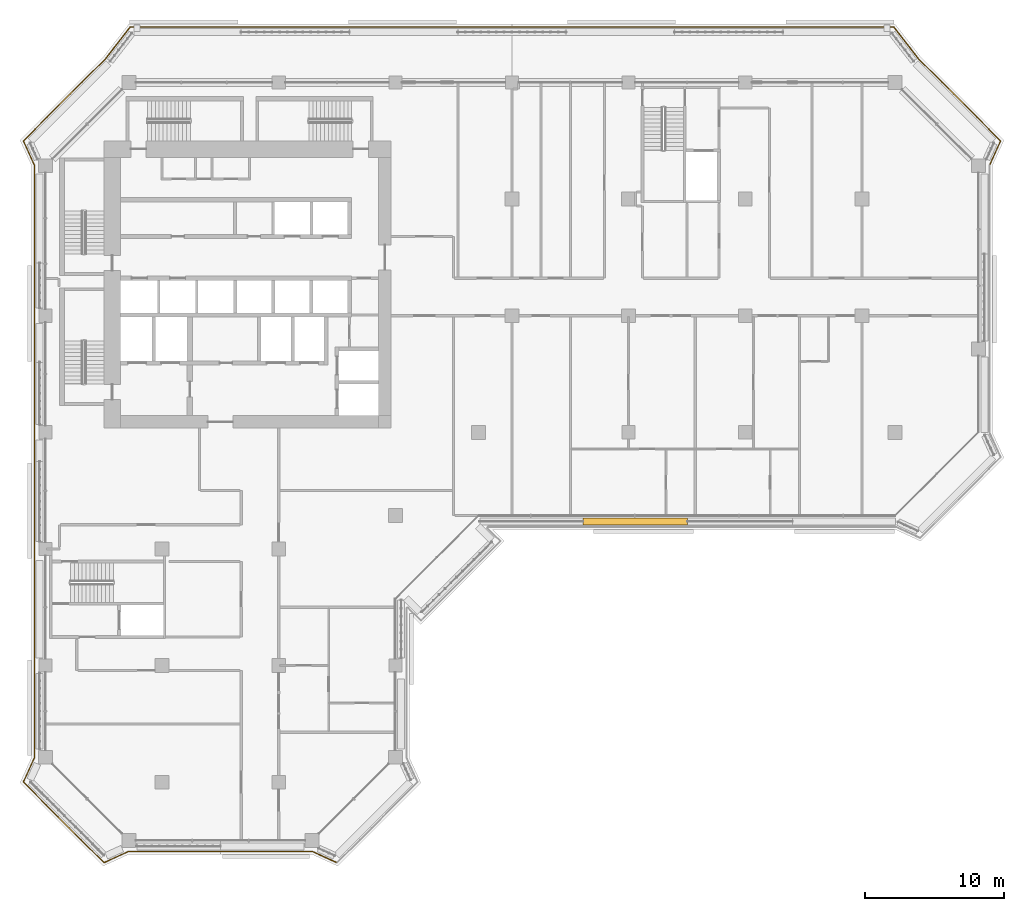
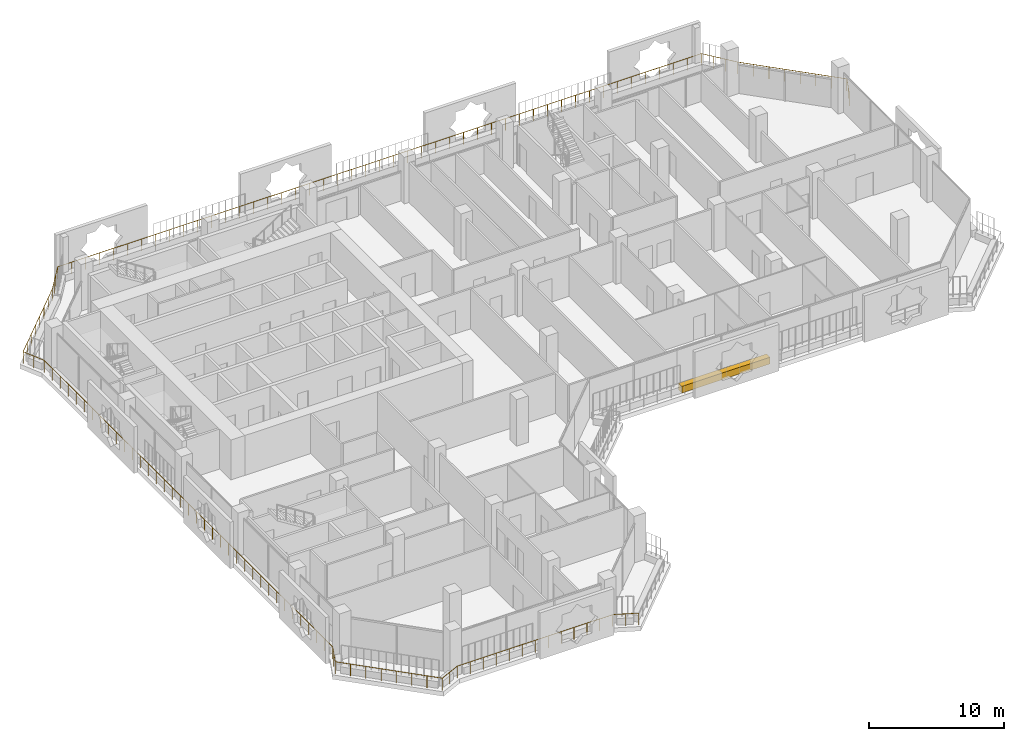
# One storey, part 18 of 22: 1 covering, 1 railing.
"""IFC4 building model written with IfcOpenShell, lengths in metres."""

from ifc_helpers import new_model, si_unit, direction, frame, origin, origin_2d, place, context, subcontext, project, spatial, rectangle, circle, extrude, material, material_profile, profile_set, type_object, element, save


model = new_model("IFC4")

# Units and contexts
model_context = context("Model", 3, precision=1e-05, world=origin(), true_north=direction((0.0, 1.0)))
body_context = subcontext(model_context, "Body", "Model", "MODEL_VIEW")
ifc_project = project(units=[si_unit("LENGTHUNIT", "METRE"), si_unit("AREAUNIT", "SQUARE_METRE"), si_unit("VOLUMEUNIT", "CUBIC_METRE"), si_unit("PLANEANGLEUNIT", "RADIAN"), si_unit("MASSUNIT", "GRAM", prefix="KILO")], contexts=[model_context])

# Site, building, storey
site_placement = place(None, origin())
site = spatial("IfcSite", under=ifc_project, at=site_placement, CompositionType="ELEMENT")
building_placement = place(site_placement, origin())
building = spatial("IfcBuilding", under=site, at=building_placement, Name="Kawkab Arch Medical Tower", CompositionType="ELEMENT")
storey_placement = place(building_placement, frame((0.0, 0.0, 204.60009765625)))
storey = spatial("IfcBuildingStorey", under=building, at=storey_placement, Name="L47", CompositionType="ELEMENT", Elevation=204.60009765625)

# Railing
ifc_material_1 = material(Name="Bronze anodised aluminium guard", Category="aluminium")
railing_type = type_object("IfcRailingType", Name="Loggia and terrace guard 1100", PredefinedType="GUARDRAIL", material=ifc_material_1)
railing_placement = place(storey_placement, frame((20.9951171875, -56.197998046875, 0.0)))
element("IfcRailing", 1, at=railing_placement, inside=storey, type_object=railing_type, Name="Guard L47.LOG-01.1.1", PredefinedType="GUARDRAIL", context=body_context, shape_type="SweptSolid", body=[
    extrude(circle(Radius=0.02392578125, at=origin_2d()), frame((0.0, 0.0, 1.076171875), z_axis=(-0.910044860056, 0.414509773934, 0.0), x_axis=(-0.414509773934, -0.910044860056, 0.0)), (0.0, 0.0, 1.0), 1.92529296875),
    extrude(circle(Radius=0.02392578125, at=origin_2d()), frame((-1.752197265625, 0.798095703125, 1.076171875), z_axis=(-1.0, 0.0, 0.0), x_axis=(0.0, -1.0, 0.0)), (0.0, 0.0, 1.0), 13.285888671875),
    extrude(circle(Radius=0.02392578125, at=origin_2d()), frame((-15.0380859375, 0.798095703125, 1.076171875), z_axis=(-0.910023069687, -0.414557610759, 0.0), x_axis=(0.414557610759, -0.910023069687, 0.0)), (0.0, 0.0, 1.0), 1.92529296875),
    extrude(circle(Radius=0.02392578125, at=origin_2d()), frame((-16.7900390625, 0.0, 1.076171875), z_axis=(-0.707106781187, 0.707106781187, 0.0), x_axis=(-0.707106781187, -0.707106781187, 0.0)), (0.0, 0.0, 1.0), 8.20654296875),
    extrude(circle(Radius=0.02392578125, at=origin_2d()), frame((-22.593017578125, 5.802978515625, 1.076171875), z_axis=(0.414452581809, 0.910070907914, 0.0), x_axis=(-0.910070907914, 0.414452581809, 0.0)), (0.0, 0.0, 1.0), 1.925048828125),
    extrude(circle(Radius=0.02392578125, at=origin_2d()), frame((-21.795166015625, 7.554931640625, 1.076171875), z_axis=(0.0, 1.0, 0.0), x_axis=(-1.0, 0.0, 0.0)), (0.0, 0.0, 1.0), 42.68603515625),
    extrude(circle(Radius=0.02392578125, at=origin_2d()), frame((-21.795166015625, 50.240966796875, 1.076171875), z_axis=(-0.414452581809, 0.910070907914, 0.0), x_axis=(-0.910070907914, -0.414452581809, 0.0)), (0.0, 0.0, 1.0), 1.925048828125),
    extrude(circle(Radius=0.02392578125, at=origin_2d()), frame((-22.593017578125, 51.992919921875, 1.076171875), z_axis=(0.707092175918, 0.707121386154, 0.0), x_axis=(-0.707121386154, 0.707092175918, 0.0)), (0.0, 0.0, 1.0), 8.358154296875),
    extrude(circle(Radius=0.02392578125, at=origin_2d()), frame((-16.68310546875, 57.903076171875, 1.076171875), z_axis=(0.614144026922, 0.789193964876, 0.0), x_axis=(-0.789193964876, 0.614144026922, 0.0)), (0.0, 0.0, 1.0), 2.907958984375),
    extrude(circle(Radius=0.02392578125, at=origin_2d()), frame((-14.897216796875, 60.197998046875, 1.076171875), z_axis=(1.0, 0.0, 0.0), x_axis=(0.0, 1.0, 0.0)), (0.0, 0.0, 1.0), 55.004150390625),
    extrude(circle(Radius=0.02392578125, at=origin_2d()), frame((40.10693359375, 60.197998046875, 1.076171875), z_axis=(0.614144026922, -0.789193964876, 0.0), x_axis=(0.789193964876, 0.614144026922, 0.0)), (0.0, 0.0, 1.0), 2.907958984375),
    extrude(circle(Radius=0.02392578125, at=origin_2d()), frame((41.892822265625, 57.903076171875, 1.076171875), z_axis=(0.707106781187, -0.707106781187, 0.0), x_axis=(0.707106781187, 0.707106781187, 0.0)), (0.0, 0.0, 1.0), 8.358154296875),
    extrude(circle(Radius=0.02392578125, at=origin_2d()), frame((47.802978515625, 51.992919921875, 1.076171875), z_axis=(-0.414557610759, -0.910023069687, 0.0), x_axis=(0.910023069687, -0.414557610759, 0.0)), (0.0, 0.0, 1.0), 1.92529296875),
    extrude(circle(Radius=0.02099609375, at=origin_2d()), origin(), (0.0, 0.0, 1.0), 1.052001953125),
    extrude(circle(Radius=0.02099609375, at=origin_2d()), frame((-0.8759765625, 0.39892578125, 0.0)), (0.0, 0.0, 1.0), 1.052001953125),
    extrude(circle(Radius=0.02099609375, at=origin_2d()), frame((-1.752197265625, 0.798095703125, 0.0)), (0.0, 0.0, 1.0), 1.052001953125),
    extrude(circle(Radius=0.02099609375, at=origin_2d()), frame((-2.859375, 0.798095703125, 0.0)), (0.0, 0.0, 1.0), 1.052001953125),
    extrude(circle(Radius=0.02099609375, at=origin_2d()), frame((-3.966552734375, 0.798095703125, 0.0)), (0.0, 0.0, 1.0), 1.052001953125),
    extrude(circle(Radius=0.02099609375, at=origin_2d()), frame((-5.07373046875, 0.798095703125, 0.0)), (0.0, 0.0, 1.0), 1.052001953125),
    extrude(circle(Radius=0.02099609375, at=origin_2d()), frame((-6.180908203125, 0.798095703125, 0.0)), (0.0, 0.0, 1.0), 1.052001953125),
    extrude(circle(Radius=0.02099609375, at=origin_2d()), frame((-7.2880859375, 0.798095703125, 0.0)), (0.0, 0.0, 1.0), 1.052001953125),
    extrude(circle(Radius=0.02099609375, at=origin_2d()), frame((-8.39501953125, 0.798095703125, 0.0)), (0.0, 0.0, 1.0), 1.052001953125),
    extrude(circle(Radius=0.02099609375, at=origin_2d()), frame((-9.502197265625, 0.798095703125, 0.0)), (0.0, 0.0, 1.0), 1.052001953125),
    extrude(circle(Radius=0.02099609375, at=origin_2d()), frame((-10.609375, 0.798095703125, 0.0)), (0.0, 0.0, 1.0), 1.052001953125),
    extrude(circle(Radius=0.02099609375, at=origin_2d()), frame((-11.716552734375, 0.798095703125, 0.0)), (0.0, 0.0, 1.0), 1.052001953125),
    extrude(circle(Radius=0.02099609375, at=origin_2d()), frame((-12.82373046875, 0.798095703125, 0.0)), (0.0, 0.0, 1.0), 1.052001953125),
    extrude(circle(Radius=0.02099609375, at=origin_2d()), frame((-13.930908203125, 0.798095703125, 0.0)), (0.0, 0.0, 1.0), 1.052001953125),
    extrude(circle(Radius=0.02099609375, at=origin_2d()), frame((-15.0380859375, 0.798095703125, 0.0)), (0.0, 0.0, 1.0), 1.052001953125),
    extrude(circle(Radius=0.02099609375, at=origin_2d()), frame((-15.9140625, 0.39892578125, 0.0)), (0.0, 0.0, 1.0), 1.052001953125),
    extrude(circle(Radius=0.02099609375, at=origin_2d()), frame((-16.7900390625, 0.0, 0.0)), (0.0, 0.0, 1.0), 1.052001953125),
    extrude(circle(Radius=0.02099609375, at=origin_2d()), frame((-17.619140625, 0.8291015625, 0.0)), (0.0, 0.0, 1.0), 1.052001953125),
    extrude(circle(Radius=0.02099609375, at=origin_2d()), frame((-18.447998046875, 1.657958984375, 0.0)), (0.0, 0.0, 1.0), 1.052001953125),
    extrude(circle(Radius=0.02099609375, at=origin_2d()), frame((-19.277099609375, 2.487060546875, 0.0)), (0.0, 0.0, 1.0), 1.052001953125),
    extrude(circle(Radius=0.02099609375, at=origin_2d()), frame((-20.10595703125, 3.31591796875, 0.0)), (0.0, 0.0, 1.0), 1.052001953125),
    extrude(circle(Radius=0.02099609375, at=origin_2d()), frame((-20.93505859375, 4.14501953125, 0.0)), (0.0, 0.0, 1.0), 1.052001953125),
    extrude(circle(Radius=0.02099609375, at=origin_2d()), frame((-21.763916015625, 4.973876953125, 0.0)), (0.0, 0.0, 1.0), 1.052001953125),
    extrude(circle(Radius=0.02099609375, at=origin_2d()), frame((-22.593017578125, 5.802978515625, 0.0)), (0.0, 0.0, 1.0), 1.052001953125),
    extrude(circle(Radius=0.02099609375, at=origin_2d()), frame((-22.194091796875, 6.678955078125, 0.0)), (0.0, 0.0, 1.0), 1.052001953125),
    extrude(circle(Radius=0.02099609375, at=origin_2d()), frame((-21.795166015625, 7.554931640625, 0.0)), (0.0, 0.0, 1.0), 1.052001953125),
    extrude(circle(Radius=0.02099609375, at=origin_2d()), frame((-21.795166015625, 8.74072265625, 0.0)), (0.0, 0.0, 1.0), 1.052001953125),
    extrude(circle(Radius=0.02099609375, at=origin_2d()), frame((-21.795166015625, 9.92626953125, 0.0)), (0.0, 0.0, 1.0), 1.052001953125),
    extrude(circle(Radius=0.02099609375, at=origin_2d()), frame((-21.795166015625, 11.112060546875, 0.0)), (0.0, 0.0, 1.0), 1.052001953125),
    extrude(circle(Radius=0.02099609375, at=origin_2d()), frame((-21.795166015625, 12.2978515625, 0.0)), (0.0, 0.0, 1.0), 1.052001953125),
    extrude(circle(Radius=0.02099609375, at=origin_2d()), frame((-21.795166015625, 13.483642578125, 0.0)), (0.0, 0.0, 1.0), 1.052001953125),
    extrude(circle(Radius=0.02099609375, at=origin_2d()), frame((-21.795166015625, 14.669189453125, 0.0)), (0.0, 0.0, 1.0), 1.052001953125),
    extrude(circle(Radius=0.02099609375, at=origin_2d()), frame((-21.795166015625, 15.85498046875, 0.0)), (0.0, 0.0, 1.0), 1.052001953125),
    extrude(circle(Radius=0.02099609375, at=origin_2d()), frame((-21.795166015625, 17.040771484375, 0.0)), (0.0, 0.0, 1.0), 1.052001953125),
    extrude(circle(Radius=0.02099609375, at=origin_2d()), frame((-21.795166015625, 18.2265625, 0.0)), (0.0, 0.0, 1.0), 1.052001953125),
    extrude(circle(Radius=0.02099609375, at=origin_2d()), frame((-21.795166015625, 19.412109375, 0.0)), (0.0, 0.0, 1.0), 1.052001953125),
    extrude(circle(Radius=0.02099609375, at=origin_2d()), frame((-21.795166015625, 20.597900390625, 0.0)), (0.0, 0.0, 1.0), 1.052001953125),
    extrude(circle(Radius=0.02099609375, at=origin_2d()), frame((-21.795166015625, 21.78369140625, 0.0)), (0.0, 0.0, 1.0), 1.052001953125),
    extrude(circle(Radius=0.02099609375, at=origin_2d()), frame((-21.795166015625, 22.96923828125, 0.0)), (0.0, 0.0, 1.0), 1.052001953125),
    extrude(circle(Radius=0.02099609375, at=origin_2d()), frame((-21.795166015625, 24.155029296875, 0.0)), (0.0, 0.0, 1.0), 1.052001953125),
    extrude(circle(Radius=0.02099609375, at=origin_2d()), frame((-21.795166015625, 25.3408203125, 0.0)), (0.0, 0.0, 1.0), 1.052001953125),
    extrude(circle(Radius=0.02099609375, at=origin_2d()), frame((-21.795166015625, 26.526611328125, 0.0)), (0.0, 0.0, 1.0), 1.052001953125),
    extrude(circle(Radius=0.02099609375, at=origin_2d()), frame((-21.795166015625, 27.712158203125, 0.0)), (0.0, 0.0, 1.0), 1.052001953125),
    extrude(circle(Radius=0.02099609375, at=origin_2d()), frame((-21.795166015625, 28.89794921875, 0.0)), (0.0, 0.0, 1.0), 1.052001953125),
    extrude(circle(Radius=0.02099609375, at=origin_2d()), frame((-21.795166015625, 30.083740234375, 0.0)), (0.0, 0.0, 1.0), 1.052001953125),
    extrude(circle(Radius=0.02099609375, at=origin_2d()), frame((-21.795166015625, 31.269287109375, 0.0)), (0.0, 0.0, 1.0), 1.052001953125),
    extrude(circle(Radius=0.02099609375, at=origin_2d()), frame((-21.795166015625, 32.455078125, 0.0)), (0.0, 0.0, 1.0), 1.052001953125),
    extrude(circle(Radius=0.02099609375, at=origin_2d()), frame((-21.795166015625, 33.640869140625, 0.0)), (0.0, 0.0, 1.0), 1.052001953125),
    extrude(circle(Radius=0.02099609375, at=origin_2d()), frame((-21.795166015625, 34.82666015625, 0.0)), (0.0, 0.0, 1.0), 1.052001953125),
    extrude(circle(Radius=0.02099609375, at=origin_2d()), frame((-21.795166015625, 36.01220703125, 0.0)), (0.0, 0.0, 1.0), 1.052001953125),
    extrude(circle(Radius=0.02099609375, at=origin_2d()), frame((-21.795166015625, 37.197998046875, 0.0)), (0.0, 0.0, 1.0), 1.052001953125),
    extrude(circle(Radius=0.02099609375, at=origin_2d()), frame((-21.795166015625, 38.3837890625, 0.0)), (0.0, 0.0, 1.0), 1.052001953125),
    extrude(circle(Radius=0.02099609375, at=origin_2d()), frame((-21.795166015625, 39.5693359375, 0.0)), (0.0, 0.0, 1.0), 1.052001953125),
    extrude(circle(Radius=0.02099609375, at=origin_2d()), frame((-21.795166015625, 40.755126953125, 0.0)), (0.0, 0.0, 1.0), 1.052001953125),
    extrude(circle(Radius=0.02099609375, at=origin_2d()), frame((-21.795166015625, 41.94091796875, 0.0)), (0.0, 0.0, 1.0), 1.052001953125),
    extrude(circle(Radius=0.02099609375, at=origin_2d()), frame((-21.795166015625, 43.126708984375, 0.0)), (0.0, 0.0, 1.0), 1.052001953125),
    extrude(circle(Radius=0.02099609375, at=origin_2d()), frame((-21.795166015625, 44.312255859375, 0.0)), (0.0, 0.0, 1.0), 1.052001953125),
    extrude(circle(Radius=0.02099609375, at=origin_2d()), frame((-21.795166015625, 45.498046875, 0.0)), (0.0, 0.0, 1.0), 1.052001953125),
    extrude(circle(Radius=0.02099609375, at=origin_2d()), frame((-21.795166015625, 46.683837890625, 0.0)), (0.0, 0.0, 1.0), 1.052001953125),
    extrude(circle(Radius=0.02099609375, at=origin_2d()), frame((-21.795166015625, 47.86962890625, 0.0)), (0.0, 0.0, 1.0), 1.052001953125),
    extrude(circle(Radius=0.02099609375, at=origin_2d()), frame((-21.795166015625, 49.05517578125, 0.0)), (0.0, 0.0, 1.0), 1.052001953125),
    extrude(circle(Radius=0.02099609375, at=origin_2d()), frame((-21.795166015625, 50.240966796875, 0.0)), (0.0, 0.0, 1.0), 1.052001953125),
    extrude(circle(Radius=0.02099609375, at=origin_2d()), frame((-22.194091796875, 51.116943359375, 0.0)), (0.0, 0.0, 1.0), 1.052001953125),
    extrude(circle(Radius=0.02099609375, at=origin_2d()), frame((-22.593017578125, 51.992919921875, 0.0)), (0.0, 0.0, 1.0), 1.052001953125),
    extrude(circle(Radius=0.02099609375, at=origin_2d()), frame((-21.748779296875, 52.837158203125, 0.0)), (0.0, 0.0, 1.0), 1.052001953125),
    extrude(circle(Radius=0.02099609375, at=origin_2d()), frame((-20.904541015625, 53.681640625, 0.0)), (0.0, 0.0, 1.0), 1.052001953125),
    extrude(circle(Radius=0.02099609375, at=origin_2d()), frame((-20.060302734375, 54.52587890625, 0.0)), (0.0, 0.0, 1.0), 1.052001953125),
    extrude(circle(Radius=0.02099609375, at=origin_2d()), frame((-19.2158203125, 55.3701171875, 0.0)), (0.0, 0.0, 1.0), 1.052001953125),
    extrude(circle(Radius=0.02099609375, at=origin_2d()), frame((-18.37158203125, 56.21435546875, 0.0)), (0.0, 0.0, 1.0), 1.052001953125),
    extrude(circle(Radius=0.02099609375, at=origin_2d()), frame((-17.52734375, 57.058837890625, 0.0)), (0.0, 0.0, 1.0), 1.052001953125),
    extrude(circle(Radius=0.02099609375, at=origin_2d()), frame((-16.68310546875, 57.903076171875, 0.0)), (0.0, 0.0, 1.0), 1.052001953125),
    extrude(circle(Radius=0.02099609375, at=origin_2d()), frame((-16.087890625, 58.66796875, 0.0)), (0.0, 0.0, 1.0), 1.052001953125),
    extrude(circle(Radius=0.02099609375, at=origin_2d()), frame((-15.492431640625, 59.43310546875, 0.0)), (0.0, 0.0, 1.0), 1.052001953125),
    extrude(circle(Radius=0.02099609375, at=origin_2d()), frame((-14.897216796875, 60.197998046875, 0.0)), (0.0, 0.0, 1.0), 1.052001953125),
    extrude(circle(Radius=0.02099609375, at=origin_2d()), frame((-13.701416015625, 60.197998046875, 0.0)), (0.0, 0.0, 1.0), 1.052001953125),
    extrude(circle(Radius=0.02099609375, at=origin_2d()), frame((-12.505615234375, 60.197998046875, 0.0)), (0.0, 0.0, 1.0), 1.052001953125),
    extrude(circle(Radius=0.02099609375, at=origin_2d()), frame((-11.31005859375, 60.197998046875, 0.0)), (0.0, 0.0, 1.0), 1.052001953125),
    extrude(circle(Radius=0.02099609375, at=origin_2d()), frame((-10.1142578125, 60.197998046875, 0.0)), (0.0, 0.0, 1.0), 1.052001953125),
    extrude(circle(Radius=0.02099609375, at=origin_2d()), frame((-8.91845703125, 60.197998046875, 0.0)), (0.0, 0.0, 1.0), 1.052001953125),
    extrude(circle(Radius=0.02099609375, at=origin_2d()), frame((-7.72265625, 60.197998046875, 0.0)), (0.0, 0.0, 1.0), 1.052001953125),
    extrude(circle(Radius=0.02099609375, at=origin_2d()), frame((-6.527099609375, 60.197998046875, 0.0)), (0.0, 0.0, 1.0), 1.052001953125),
    extrude(circle(Radius=0.02099609375, at=origin_2d()), frame((-5.331298828125, 60.197998046875, 0.0)), (0.0, 0.0, 1.0), 1.052001953125),
    extrude(circle(Radius=0.02099609375, at=origin_2d()), frame((-4.135498046875, 60.197998046875, 0.0)), (0.0, 0.0, 1.0), 1.052001953125),
    extrude(circle(Radius=0.02099609375, at=origin_2d()), frame((-2.939697265625, 60.197998046875, 0.0)), (0.0, 0.0, 1.0), 1.052001953125),
    extrude(circle(Radius=0.02099609375, at=origin_2d()), frame((-1.744140625, 60.197998046875, 0.0)), (0.0, 0.0, 1.0), 1.052001953125),
    extrude(circle(Radius=0.02099609375, at=origin_2d()), frame((-0.54833984375, 60.197998046875, 0.0)), (0.0, 0.0, 1.0), 1.052001953125),
    extrude(circle(Radius=0.02099609375, at=origin_2d()), frame((0.6474609375, 60.197998046875, 0.0)), (0.0, 0.0, 1.0), 1.052001953125),
    extrude(circle(Radius=0.02099609375, at=origin_2d()), frame((1.84326171875, 60.197998046875, 0.0)), (0.0, 0.0, 1.0), 1.052001953125),
    extrude(circle(Radius=0.02099609375, at=origin_2d()), frame((3.038818359375, 60.197998046875, 0.0)), (0.0, 0.0, 1.0), 1.052001953125),
    extrude(circle(Radius=0.02099609375, at=origin_2d()), frame((4.234619140625, 60.197998046875, 0.0)), (0.0, 0.0, 1.0), 1.052001953125),
    extrude(circle(Radius=0.02099609375, at=origin_2d()), frame((5.430419921875, 60.197998046875, 0.0)), (0.0, 0.0, 1.0), 1.052001953125),
    extrude(circle(Radius=0.02099609375, at=origin_2d()), frame((6.626220703125, 60.197998046875, 0.0)), (0.0, 0.0, 1.0), 1.052001953125),
    extrude(circle(Radius=0.02099609375, at=origin_2d()), frame((7.82177734375, 60.197998046875, 0.0)), (0.0, 0.0, 1.0), 1.052001953125),
    extrude(circle(Radius=0.02099609375, at=origin_2d()), frame((9.017578125, 60.197998046875, 0.0)), (0.0, 0.0, 1.0), 1.052001953125),
    extrude(circle(Radius=0.02099609375, at=origin_2d()), frame((10.21337890625, 60.197998046875, 0.0)), (0.0, 0.0, 1.0), 1.052001953125),
    extrude(circle(Radius=0.02099609375, at=origin_2d()), frame((11.4091796875, 60.197998046875, 0.0)), (0.0, 0.0, 1.0), 1.052001953125),
    extrude(circle(Radius=0.02099609375, at=origin_2d()), frame((12.60498046875, 60.197998046875, 0.0)), (0.0, 0.0, 1.0), 1.052001953125),
    extrude(circle(Radius=0.02099609375, at=origin_2d()), frame((13.800537109375, 60.197998046875, 0.0)), (0.0, 0.0, 1.0), 1.052001953125),
    extrude(circle(Radius=0.02099609375, at=origin_2d()), frame((14.996337890625, 60.197998046875, 0.0)), (0.0, 0.0, 1.0), 1.052001953125),
    extrude(circle(Radius=0.02099609375, at=origin_2d()), frame((16.192138671875, 60.197998046875, 0.0)), (0.0, 0.0, 1.0), 1.052001953125),
    extrude(circle(Radius=0.02099609375, at=origin_2d()), frame((17.387939453125, 60.197998046875, 0.0)), (0.0, 0.0, 1.0), 1.052001953125),
    extrude(circle(Radius=0.02099609375, at=origin_2d()), frame((18.58349609375, 60.197998046875, 0.0)), (0.0, 0.0, 1.0), 1.052001953125),
    extrude(circle(Radius=0.02099609375, at=origin_2d()), frame((19.779296875, 60.197998046875, 0.0)), (0.0, 0.0, 1.0), 1.052001953125),
    extrude(circle(Radius=0.02099609375, at=origin_2d()), frame((20.97509765625, 60.197998046875, 0.0)), (0.0, 0.0, 1.0), 1.052001953125),
    extrude(circle(Radius=0.02099609375, at=origin_2d()), frame((22.1708984375, 60.197998046875, 0.0)), (0.0, 0.0, 1.0), 1.052001953125),
    extrude(circle(Radius=0.02099609375, at=origin_2d()), frame((23.366455078125, 60.197998046875, 0.0)), (0.0, 0.0, 1.0), 1.052001953125),
    extrude(circle(Radius=0.02099609375, at=origin_2d()), frame((24.562255859375, 60.197998046875, 0.0)), (0.0, 0.0, 1.0), 1.052001953125),
    extrude(circle(Radius=0.02099609375, at=origin_2d()), frame((25.758056640625, 60.197998046875, 0.0)), (0.0, 0.0, 1.0), 1.052001953125),
    extrude(circle(Radius=0.02099609375, at=origin_2d()), frame((26.953857421875, 60.197998046875, 0.0)), (0.0, 0.0, 1.0), 1.052001953125),
    extrude(circle(Radius=0.02099609375, at=origin_2d()), frame((28.1494140625, 60.197998046875, 0.0)), (0.0, 0.0, 1.0), 1.052001953125),
    extrude(circle(Radius=0.02099609375, at=origin_2d()), frame((29.34521484375, 60.197998046875, 0.0)), (0.0, 0.0, 1.0), 1.052001953125),
    extrude(circle(Radius=0.02099609375, at=origin_2d()), frame((30.541015625, 60.197998046875, 0.0)), (0.0, 0.0, 1.0), 1.052001953125),
    extrude(circle(Radius=0.02099609375, at=origin_2d()), frame((31.73681640625, 60.197998046875, 0.0)), (0.0, 0.0, 1.0), 1.052001953125),
    extrude(circle(Radius=0.02099609375, at=origin_2d()), frame((32.932373046875, 60.197998046875, 0.0)), (0.0, 0.0, 1.0), 1.052001953125),
    extrude(circle(Radius=0.02099609375, at=origin_2d()), frame((34.128173828125, 60.197998046875, 0.0)), (0.0, 0.0, 1.0), 1.052001953125),
    extrude(circle(Radius=0.02099609375, at=origin_2d()), frame((35.323974609375, 60.197998046875, 0.0)), (0.0, 0.0, 1.0), 1.052001953125),
    extrude(circle(Radius=0.02099609375, at=origin_2d()), frame((36.519775390625, 60.197998046875, 0.0)), (0.0, 0.0, 1.0), 1.052001953125),
    extrude(circle(Radius=0.02099609375, at=origin_2d()), frame((37.71533203125, 60.197998046875, 0.0)), (0.0, 0.0, 1.0), 1.052001953125),
    extrude(circle(Radius=0.02099609375, at=origin_2d()), frame((38.9111328125, 60.197998046875, 0.0)), (0.0, 0.0, 1.0), 1.052001953125),
    extrude(circle(Radius=0.02099609375, at=origin_2d()), frame((40.10693359375, 60.197998046875, 0.0)), (0.0, 0.0, 1.0), 1.052001953125),
    extrude(circle(Radius=0.02099609375, at=origin_2d()), frame((40.7021484375, 59.43310546875, 0.0)), (0.0, 0.0, 1.0), 1.052001953125),
    extrude(circle(Radius=0.02099609375, at=origin_2d()), frame((41.297607421875, 58.66796875, 0.0)), (0.0, 0.0, 1.0), 1.052001953125),
    extrude(circle(Radius=0.02099609375, at=origin_2d()), frame((41.892822265625, 57.903076171875, 0.0)), (0.0, 0.0, 1.0), 1.052001953125),
    extrude(circle(Radius=0.02099609375, at=origin_2d()), frame((42.737060546875, 57.058837890625, 0.0)), (0.0, 0.0, 1.0), 1.052001953125),
    extrude(circle(Radius=0.02099609375, at=origin_2d()), frame((43.58154296875, 56.21435546875, 0.0)), (0.0, 0.0, 1.0), 1.052001953125),
    extrude(circle(Radius=0.02099609375, at=origin_2d()), frame((44.42578125, 55.3701171875, 0.0)), (0.0, 0.0, 1.0), 1.052001953125),
    extrude(circle(Radius=0.02099609375, at=origin_2d()), frame((45.27001953125, 54.52587890625, 0.0)), (0.0, 0.0, 1.0), 1.052001953125),
    extrude(circle(Radius=0.02099609375, at=origin_2d()), frame((46.1142578125, 53.681640625, 0.0)), (0.0, 0.0, 1.0), 1.052001953125),
    extrude(circle(Radius=0.02099609375, at=origin_2d()), frame((46.958740234375, 52.837158203125, 0.0)), (0.0, 0.0, 1.0), 1.052001953125),
    extrude(circle(Radius=0.02099609375, at=origin_2d()), frame((47.802978515625, 51.992919921875, 0.0)), (0.0, 0.0, 1.0), 1.052001953125),
    extrude(circle(Radius=0.02099609375, at=origin_2d()), frame((47.40380859375, 51.116943359375, 0.0)), (0.0, 0.0, 1.0), 1.052001953125),
    extrude(circle(Radius=0.02099609375, at=origin_2d()), frame((47.0048828125, 50.240966796875, 0.0)), (0.0, 0.0, 1.0), 1.052001953125),
])

# Covering
ifc_material_2 = material(Name="Planting soil in a precast trough", Category="concrete")
ifc_material_profile = material_profile(ifc_material_2, rectangle(XDim=0.5, YDim=0.60009765625, at=origin_2d()), Name="Trough 500x600")
ifc_profile_set = profile_set([ifc_material_profile], Name="Planting soil in a precast trough")
covering_type = type_object("IfcCoveringType", Name="Planter trough 500 x 600", PredefinedType="USERDEFINED", material=ifc_profile_set)
covering_placement = place(storey_placement, frame((46.2548828125, -31.6201171875, 0.2998046875), z_axis=(-1.0, 0.0, 0.0), x_axis=(0.0, -1.0, 0.0)))
element("IfcCovering", 2, at=covering_placement, inside=storey, type_object=covering_type, Name="Planter L47.LOG-01-01.36", ObjectType="PLANTER", PredefinedType="USERDEFINED", context=body_context, shape_type="SweptSolid", body=[
    extrude(rectangle(XDim=0.5, YDim=0.60009765625, at=origin_2d()), origin(), (0.0, 0.0, 1.0), 7.534912109375),
])

save(model, "model.ifc")
